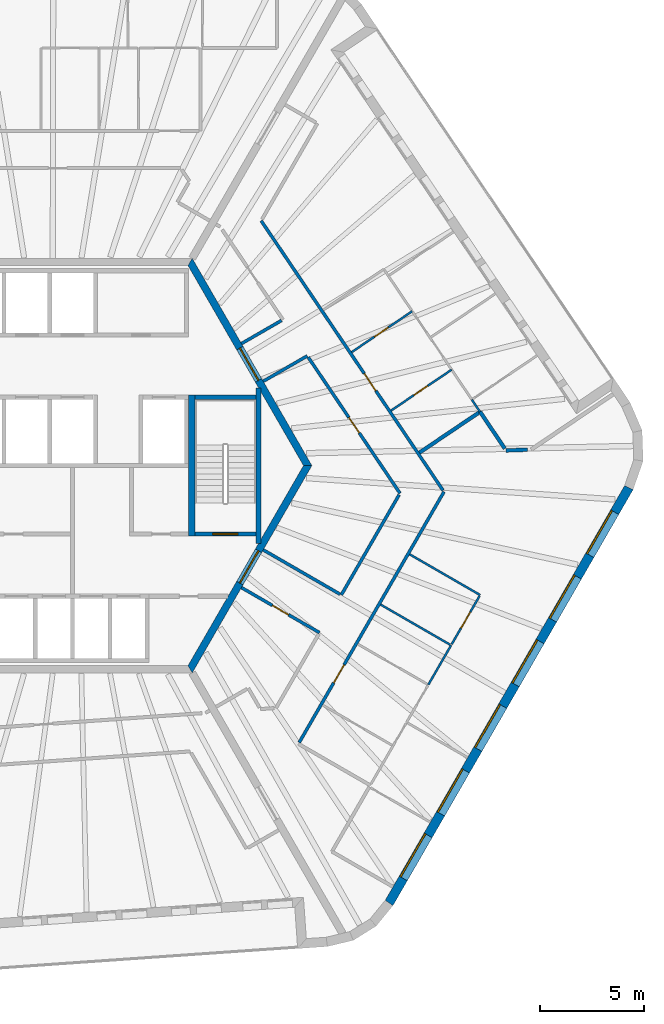
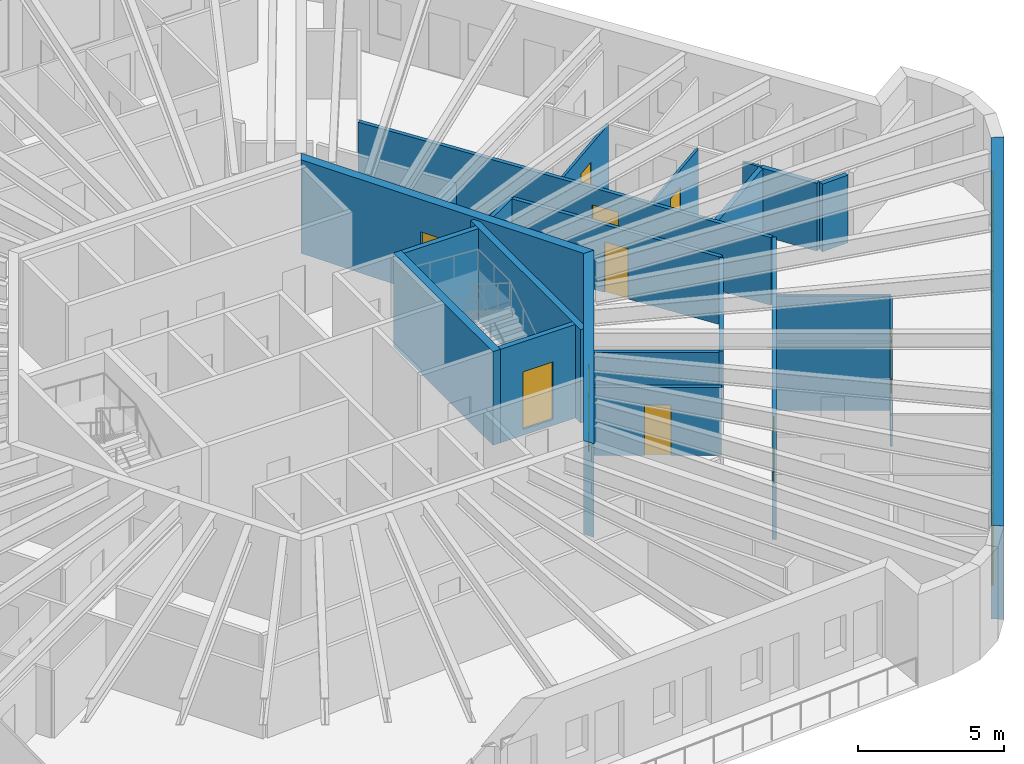
# One storey, part 6 of 11: 25 walls, 10 doors, 6 windows, 16 openings.
"""IFC4 building model written with IfcOpenShell, lengths in metres."""

from ifc_helpers import new_model, si_unit, direction, frame, frame_2d, origin, place, context, subcontext, project, spatial, polyline, rectangle, outline, extrude, material, layer, layer_set, type_object, element, fill, save


model = new_model("IFC4")

# Units and contexts
model_context = context("Model", 3, precision=1e-05, world=origin(), true_north=direction((0.0, 1.0)))
body_context = subcontext(model_context, "Body", "Model", "MODEL_VIEW")
ifc_project = project(units=[si_unit("LENGTHUNIT", "METRE"), si_unit("AREAUNIT", "SQUARE_METRE"), si_unit("VOLUMEUNIT", "CUBIC_METRE"), si_unit("PLANEANGLEUNIT", "RADIAN"), si_unit("MASSUNIT", "GRAM", prefix="KILO")], contexts=[model_context])

# Site, building, storey
site_placement = place(None, origin())
site = spatial("IfcSite", under=ifc_project, at=site_placement, CompositionType="ELEMENT")
building_placement = place(site_placement, origin())
building = spatial("IfcBuilding", under=site, at=building_placement, Name="Tarnside Tower", CompositionType="ELEMENT")
storey_placement = place(building_placement, frame((0.0, 0.0, 353.39990234375)))
storey = spatial("IfcBuildingStorey", under=building, at=storey_placement, Name="L85", CompositionType="ELEMENT", Elevation=353.39990234375)

# Walls
ifc_material_1 = material(Name="Gypsum board partition on steel studs", Category="steel")
ifc_layer_1 = layer(ifc_material_1, 0.10009765625)
ifc_layer_set_1 = layer_set([ifc_layer_1], Name="Bathroom wall 100")
wall_type_1 = type_object("IfcWallType", Name="Bathroom wall 100", PredefinedType="PARTITIONING", material=ifc_layer_set_1)
wall_1_placement = place(storey_placement, frame((18.26318359375, -8.66748046875, 0.0), z_axis=(0.0, 0.0, 1.0), x_axis=(-0.50002983664, -0.866008176907, 0.0)))
element("IfcWall", 1, at=wall_1_placement, inside=storey, type_object=wall_type_1, Name="Bathroom wall 27106", PredefinedType="PARTITIONING", context=body_context, shape_type="SweptSolid", body=[
    extrude(rectangle(XDim=2.199951171875, YDim=0.10009765625, at=frame_2d((1.10009765625, 0.0))), origin(), (0.0, 0.0, 1.0), 2.820068359375),
])
wall_2_placement = place(storey_placement, frame((18.2197265625, -8.642333984375, 0.0), z_axis=(0.0, 0.0, 1.0), x_axis=(-0.866016658288, 0.500015147339, 0.0)))
element("IfcWall", 2, at=wall_2_placement, inside=storey, type_object=wall_type_1, Name="Bathroom wall 27118", PredefinedType="PARTITIONING", context=body_context, shape_type="SweptSolid", body=[
    extrude(rectangle(XDim=3.875, YDim=0.10009765625, at=frame_2d((1.9375, 0.0))), origin(), (0.0, 0.0, 1.0), 2.820068359375),
])

# Wall, opening, door
wall_3_placement = place(storey_placement, frame((15.367431640625, 2.6552734375, 0.0), z_axis=(0.0, 0.0, 1.0), x_axis=(0.829033300448, 0.559199237078, 0.0)))
wall_3 = element("IfcWall", 3, at=wall_3_placement, inside=storey, type_object=wall_type_1, Name="Bathroom wall 27122", PredefinedType="PARTITIONING", context=body_context, shape_type="SweptSolid", body=[
    extrude(rectangle(XDim=3.525146484375, YDim=0.10009765625, at=frame_2d((1.7626953125, 0.0))), origin(), (0.0, 0.0, 1.0), 2.820068359375),
])
opening_1_placement = place(wall_3_placement, frame((1.324951171875, 0.0, 0.0)))
opening_1 = element("IfcOpeningElement", 4, at=opening_1_placement, cuts=wall_3, Name="Opening D-B1", PredefinedType="OPENING", context=body_context, shape_type="SweptSolid", body=[
    extrude(rectangle(XDim=0.800048828125, YDim=2.10009765625, at=frame_2d((0.39990234375, 1.050048828125))), frame((0.0, 0.06005859375, 0.0), z_axis=(0.0, -1.0, 0.0), x_axis=(1.0, 0.0, 0.0)), (0.0, 0.0, 1.0), 0.1201171875),
])
ifc_material_2 = material(Name="Timber door leaf", Category="wood")
door_type_1 = type_object("IfcDoorType", Name="Bathroom door 800", OperationType="NOTDEFINED", PredefinedType="DOOR", material=ifc_material_2)
door_1_placement = place(opening_1_placement, origin())
door_1 = element("IfcDoor", 5, at=door_1_placement, inside=storey, type_object=door_type_1, Name="Bathroom door 27045", OperationType="SINGLE_SWING_RIGHT", OverallHeight=2.10009765625, OverallWidth=0.800048828125, PredefinedType="DOOR", context=body_context, shape_type="SweptSolid", body=[
    extrude(rectangle(XDim=0.800048828125, YDim=2.10009765625, at=frame_2d((0.39990234375, 1.050048828125))), frame((0.0, 0.02490234375, 0.0), z_axis=(0.0, -1.0, 0.0), x_axis=(1.0, 0.0, 0.0)), (0.0, 0.0, 1.0), 0.050048828125),
])
fill(opening_1, door_1)

wall_4_placement = place(storey_placement, frame((16.388427734375, 7.4453125, 0.0), z_axis=(0.0, 0.0, 1.0), x_axis=(-0.829033300448, -0.559199237078, 0.0)))
wall_4 = element("IfcWall", 6, at=wall_4_placement, inside=storey, type_object=wall_type_1, Name="Bathroom wall 27125", PredefinedType="PARTITIONING", context=body_context, shape_type="SweptSolid", body=[
    extrude(rectangle(XDim=3.525146484375, YDim=0.10009765625, at=frame_2d((1.7626953125, 0.0))), origin(), (0.0, 0.0, 1.0), 2.820068359375),
])
opening_2_placement = place(wall_4_placement, frame((1.39990234375, 0.0, 0.0)))
opening_2 = element("IfcOpeningElement", 7, at=opening_2_placement, cuts=wall_4, Name="Opening D-B1", PredefinedType="OPENING", context=body_context, shape_type="SweptSolid", body=[
    extrude(rectangle(XDim=0.800048828125, YDim=2.10009765625, at=frame_2d((0.39990234375, 1.050048828125))), frame((0.0, 0.06005859375, 0.0), z_axis=(0.0, -1.0, 0.0), x_axis=(1.0, 0.0, 0.0)), (0.0, 0.0, 1.0), 0.1201171875),
])
door_2_placement = place(opening_2_placement, origin())
door_2 = element("IfcDoor", 8, at=door_2_placement, inside=storey, type_object=door_type_1, Name="Bathroom door 27056", OperationType="SINGLE_SWING_LEFT", OverallHeight=2.10009765625, OverallWidth=0.800048828125, PredefinedType="DOOR", context=body_context, shape_type="SweptSolid", body=[
    extrude(rectangle(XDim=0.800048828125, YDim=2.10009765625, at=frame_2d((0.39990234375, 1.050048828125))), frame((0.0, 0.02490234375, 0.0), z_axis=(0.0, -1.0, 0.0), x_axis=(1.0, 0.0, 0.0)), (0.0, 0.0, 1.0), 0.050048828125),
])
fill(opening_2, door_2)

# Wall
wall_5_placement = place(storey_placement, frame((19.660888671875, 2.59375, 0.0), z_axis=(0.0, 0.0, 1.0), x_axis=(-0.559278611344, 0.828979755418, 0.0)))
element("IfcWall", 9, at=wall_5_placement, inside=storey, type_object=wall_type_1, Name="Bathroom wall 27126", PredefinedType="PARTITIONING", context=body_context, shape_type="SweptSolid", body=[
    extrude(rectangle(XDim=0.71240234375, YDim=0.10009765625, at=frame_2d((0.356201171875, 0.0))), origin(), (0.0, 0.0, 1.0), 2.820068359375),
])

# Wall, opening, door
ifc_material_3 = material(Name="Concrete C50/60", Category="concrete")
ifc_layer_2 = layer(ifc_material_3, 0.35009765625)
ifc_layer_set_2 = layer_set([ifc_layer_2], Name="Core wall Z4 350 C50/60")
wall_type_2 = type_object("IfcWallType", Name="Core wall Z4 350 C50/60", PredefinedType="SHEAR", material=ifc_layer_set_2)
wall_6_placement = place(storey_placement, frame((5.672607421875, -9.824951171875, -0.14990234375), z_axis=(0.0, 0.0, 1.0), x_axis=(0.499995046907, 0.866028263435, 0.0)))
wall_6 = element("IfcWall", 10, at=wall_6_placement, inside=storey, type_object=wall_type_2, Name="L85 core wall face 5", PredefinedType="SHEAR", context=body_context, shape_type="SweptSolid", body=[
    extrude(outline(polyline([(-0.10107421875, -0.175048828125), (11.44580078125, -0.175048828125), (11.24365234375, 0.175048828125), (0.10107421875, 0.175048828125), (-0.10107421875, -0.175048828125)])), origin(), (0.0, 0.0, 1.0), 3.89990234375),
])
opening_3_placement = place(wall_6_placement, frame((4.80126953125, 0.0, 0.14990234375)))
opening_3 = element("IfcOpeningElement", 11, at=opening_3_placement, cuts=wall_6, Name="Opening CD-FFL", PredefinedType="OPENING", context=body_context, shape_type="SweptSolid", body=[
    extrude(rectangle(XDim=1.800048828125, YDim=2.39990234375, at=frame_2d((0.89990234375, 1.199951171875))), frame((0.0, 0.18505859375, 0.0), z_axis=(0.0, -1.0, 0.0), x_axis=(1.0, 0.0, 0.0)), (0.0, 0.0, 1.0), 0.3701171875),
])
ifc_material_4 = material(Name="Steel fire door", Category="steel")
door_type_2 = type_object("IfcDoorType", Name="Firefighting lobby double door FD60S 1800x2400", OperationType="NOTDEFINED", PredefinedType="DOOR", material=ifc_material_4)
door_3_placement = place(opening_3_placement, origin())
door_3 = element("IfcDoor", 12, at=door_3_placement, inside=storey, type_object=door_type_2, Name="L85 core door P4", OperationType="DOUBLE_DOOR_SINGLE_SWING", OverallHeight=2.39990234375, OverallWidth=1.800048828125, PredefinedType="DOOR", context=body_context, shape_type="SweptSolid", body=[
    extrude(rectangle(XDim=1.800048828125, YDim=2.39990234375, at=frame_2d((0.89990234375, 1.199951171875))), frame((0.0, 0.02490234375, 0.0), z_axis=(0.0, -1.0, 0.0), x_axis=(1.0, 0.0, 0.0)), (0.0, 0.0, 1.0), 0.050048828125),
])
fill(opening_3, door_3)

wall_7_placement = place(storey_placement, frame((11.344970703125, 0.0, -0.14990234375), z_axis=(0.0, 0.0, 1.0), x_axis=(-0.499995046907, 0.866028263435, 0.0)))
wall_7 = element("IfcWall", 13, at=wall_7_placement, inside=storey, type_object=wall_type_2, Name="L85 core wall face 6", PredefinedType="SHEAR", context=body_context, shape_type="SweptSolid", body=[
    extrude(outline(polyline([(-0.10107421875, -0.175048828125), (11.44580078125, -0.175048828125), (11.24365234375, 0.175048828125), (0.10107421875, 0.175048828125), (-0.10107421875, -0.175048828125)])), origin(), (0.0, 0.0, 1.0), 3.89990234375),
])
opening_4_placement = place(wall_7_placement, frame((4.74365234375, 0.0, 0.14990234375)))
opening_4 = element("IfcOpeningElement", 14, at=opening_4_placement, cuts=wall_7, Name="Opening CD-LOB", PredefinedType="OPENING", context=body_context, shape_type="SweptSolid", body=[
    extrude(rectangle(XDim=1.800048828125, YDim=2.39990234375, at=frame_2d((0.89990234375, 1.199951171875))), frame((0.0, 0.18505859375, 0.0), z_axis=(0.0, -1.0, 0.0), x_axis=(1.0, 0.0, 0.0)), (0.0, 0.0, 1.0), 0.3701171875),
])
door_type_3 = type_object("IfcDoorType", Name="Lobby double door FD30S 1800x2400", OperationType="NOTDEFINED", PredefinedType="DOOR", material=ifc_material_4)
door_4_placement = place(opening_4_placement, origin())
door_4 = element("IfcDoor", 15, at=door_4_placement, inside=storey, type_object=door_type_3, Name="L85 core door P2", OperationType="DOUBLE_DOOR_SINGLE_SWING", OverallHeight=2.39990234375, OverallWidth=1.800048828125, PredefinedType="DOOR", context=body_context, shape_type="SweptSolid", body=[
    extrude(rectangle(XDim=1.800048828125, YDim=2.39990234375, at=frame_2d((0.89990234375, 1.199951171875))), frame((0.0, 0.02490234375, 0.0), z_axis=(0.0, -1.0, 0.0), x_axis=(1.0, 0.0, 0.0)), (0.0, 0.0, 1.0), 0.050048828125),
])
fill(opening_4, door_4)

ifc_layer_3 = layer(ifc_material_1, 0.14990234375)
ifc_layer_set_3 = layer_set([ifc_layer_3], Name="Corridor wall 150 EI 60")
wall_type_3 = type_object("IfcWallType", Name="Corridor wall 150 EI 60", PredefinedType="PARTITIONING", material=ifc_layer_set_3)
wall_8_placement = place(storey_placement, frame((10.9365234375, -13.357421875, 0.0), z_axis=(0.0, 0.0, 1.0), x_axis=(0.499993317597, 0.866029261837, 0.0)))
wall_8 = element("IfcWall", 16, at=wall_8_placement, inside=storey, type_object=wall_type_3, Name="Corridor wall 27043", PredefinedType="PARTITIONING", context=body_context, shape_type="SweptSolid", body=[
    extrude(rectangle(XDim=13.966064453125, YDim=0.14990234375, at=frame_2d((6.98291015625, 0.0))), origin(), (0.0, 0.0, 1.0), 2.820068359375),
])
opening_5_placement = place(wall_8_placement, frame((3.324951171875, 0.0, 0.0)))
opening_5 = element("IfcOpeningElement", 17, at=opening_5_placement, cuts=wall_8, Name="Opening D-E1", PredefinedType="OPENING", context=body_context, shape_type="SweptSolid", body=[
    extrude(rectangle(XDim=1.0, YDim=2.10009765625, at=frame_2d((0.5, 1.050048828125))), frame((0.0, 0.0849609375, 0.0), z_axis=(0.0, -1.0, 0.0), x_axis=(1.0, 0.0, 0.0)), (0.0, 0.0, 1.0), 0.169921875),
])
door_type_4 = type_object("IfcDoorType", Name="Unit entrance door 1000 FD30S", OperationType="NOTDEFINED", PredefinedType="DOOR", material=ifc_material_2)
door_5_placement = place(opening_5_placement, origin())
door_5 = element("IfcDoor", 18, at=door_5_placement, inside=storey, type_object=door_type_4, Name="Unit door 27035", OperationType="SINGLE_SWING_LEFT", OverallHeight=2.10009765625, OverallWidth=1.0, PredefinedType="DOOR", context=body_context, shape_type="SweptSolid", body=[
    extrude(rectangle(XDim=1.0, YDim=2.10009765625, at=frame_2d((0.5, 1.050048828125))), frame((0.0, 0.02490234375, 0.0), z_axis=(0.0, -1.0, 0.0), x_axis=(1.0, 0.0, 0.0)), (0.0, 0.0, 1.0), 0.050048828125),
])
fill(opening_5, door_5)

wall_9_placement = place(storey_placement, frame((17.872802734375, -1.193359375, 0.0), z_axis=(0.0, 0.0, 1.0), x_axis=(-0.559195650252, 0.829035719821, 0.0)))
wall_9 = element("IfcWall", 19, at=wall_9_placement, inside=storey, type_object=wall_type_3, Name="Corridor wall 27044", PredefinedType="PARTITIONING", context=body_context, shape_type="SweptSolid", body=[
    extrude(rectangle(XDim=15.687744140625, YDim=0.14990234375, at=frame_2d((7.84375, 0.0))), origin(), (0.0, 0.0, 1.0), 2.820068359375),
])
opening_6_placement = place(wall_9_placement, frame((5.791748046875, 0.0, 0.0)))
opening_6 = element("IfcOpeningElement", 20, at=opening_6_placement, cuts=wall_9, Name="Opening D-E1", PredefinedType="OPENING", context=body_context, shape_type="SweptSolid", body=[
    extrude(rectangle(XDim=1.0, YDim=2.10009765625, at=frame_2d((0.5, 1.050048828125))), frame((0.0, 0.0849609375, 0.0), z_axis=(0.0, -1.0, 0.0), x_axis=(1.0, 0.0, 0.0)), (0.0, 0.0, 1.0), 0.169921875),
])
door_6_placement = place(opening_6_placement, origin())
door_6 = element("IfcDoor", 21, at=door_6_placement, inside=storey, type_object=door_type_4, Name="Unit door 27044", OperationType="SINGLE_SWING_LEFT", OverallHeight=2.10009765625, OverallWidth=1.0, PredefinedType="DOOR", context=body_context, shape_type="SweptSolid", body=[
    extrude(rectangle(XDim=1.0, YDim=2.10009765625, at=frame_2d((0.5, 1.050048828125))), frame((0.0, 0.02490234375, 0.0), z_axis=(0.0, -1.0, 0.0), x_axis=(1.0, 0.0, 0.0)), (0.0, 0.0, 1.0), 0.050048828125),
])
fill(opening_6, door_6)

# Wall
wall_10_placement = place(storey_placement, frame((9.19970703125, 4.065673828125, 0.0), z_axis=(0.0, 0.0, 1.0), x_axis=(0.866038240688, 0.499977765172, 0.0)))
element("IfcWall", 22, at=wall_10_placement, inside=storey, type_object=wall_type_3, Name="Corridor wall 27058", PredefinedType="PARTITIONING", context=body_context, shape_type="SweptSolid", body=[
    extrude(rectangle(XDim=2.45556640625, YDim=0.14990234375, at=frame_2d((1.227783203125, 0.0))), origin(), (0.0, 0.0, 1.0), 2.820068359375),
])

# Wall, opening, door
wall_11_placement = place(storey_placement, frame((11.368408203125, 5.231201171875, 0.0), z_axis=(0.0, 0.0, 1.0), x_axis=(0.55919388604, -0.829036909803, 0.0)))
wall_11 = element("IfcWall", 23, at=wall_11_placement, inside=storey, type_object=wall_type_3, Name="Corridor wall 27059", PredefinedType="PARTITIONING", context=body_context, shape_type="SweptSolid", body=[
    extrude(rectangle(XDim=7.921875, YDim=0.14990234375, at=frame_2d((3.9609375, 0.0))), origin(), (0.0, 0.0, 1.0), 2.820068359375),
])
opening_7_placement = place(wall_11_placement, frame((3.510986328125, 0.0, 0.0)))
opening_7 = element("IfcOpeningElement", 24, at=opening_7_placement, cuts=wall_11, Name="Opening D-S1", PredefinedType="OPENING", context=body_context, shape_type="SweptSolid", body=[
    extrude(rectangle(XDim=0.89990234375, YDim=2.10009765625, at=frame_2d((0.449951171875, 1.050048828125))), frame((0.0, 0.0849609375, 0.0), z_axis=(0.0, -1.0, 0.0), x_axis=(1.0, 0.0, 0.0)), (0.0, 0.0, 1.0), 0.169921875),
])
door_type_5 = type_object("IfcDoorType", Name="Service room door 900 FD30S", OperationType="NOTDEFINED", PredefinedType="DOOR", material=ifc_material_2)
door_7_placement = place(opening_7_placement, origin())
door_7 = element("IfcDoor", 25, at=door_7_placement, inside=storey, type_object=door_type_5, Name="Service door 27063", OperationType="SINGLE_SWING_RIGHT", OverallHeight=2.10009765625, OverallWidth=0.89990234375, PredefinedType="DOOR", context=body_context, shape_type="SweptSolid", body=[
    extrude(rectangle(XDim=0.89990234375, YDim=2.10009765625, at=frame_2d((0.449951171875, 1.050048828125))), frame((0.0, 0.02490234375, 0.0), z_axis=(0.0, -1.0, 0.0), x_axis=(1.0, 0.0, 0.0)), (0.0, 0.0, 1.0), 0.050048828125),
])
fill(opening_7, door_7)

# Walls
wall_12_placement = place(storey_placement, frame((15.756591796875, -1.40869140625, 0.0), z_axis=(0.0, 0.0, 1.0), x_axis=(-0.500002739321, -0.866023822231, 0.0)))
element("IfcWall", 26, at=wall_12_placement, inside=storey, type_object=wall_type_3, Name="Corridor wall 27060", PredefinedType="PARTITIONING", context=body_context, shape_type="SweptSolid", body=[
    extrude(rectangle(XDim=5.57958984375, YDim=0.14990234375, at=frame_2d((2.789794921875, 0.0))), origin(), (0.0, 0.0, 1.0), 2.820068359375),
])
wall_13_placement = place(storey_placement, frame((12.90185546875, -6.203125, 0.0), z_axis=(0.0, 0.0, 1.0), x_axis=(-0.866023907196, 0.500002592159, 0.0)))
element("IfcWall", 27, at=wall_13_placement, inside=storey, type_object=wall_type_3, Name="Corridor wall 27061", PredefinedType="PARTITIONING", context=body_context, shape_type="SweptSolid", body=[
    extrude(rectangle(XDim=4.27490234375, YDim=0.14990234375, at=frame_2d((2.137451171875, 0.0))), origin(), (0.0, 0.0, 1.0), 2.820068359375),
])

# Wall, opening, door
wall_14_placement = place(storey_placement, frame((8.149658203125, -5.88427734375, 0.0), z_axis=(0.0, 0.0, 1.0), x_axis=(0.866027639635, -0.499996127374, 0.0)))
wall_14 = element("IfcWall", 28, at=wall_14_placement, inside=storey, type_object=wall_type_3, Name="Corridor wall 27062", PredefinedType="PARTITIONING", context=body_context, shape_type="SweptSolid", body=[
    extrude(rectangle(XDim=4.35009765625, YDim=0.14990234375, at=frame_2d((2.175048828125, 0.0))), origin(), (0.0, 0.0, 1.0), 2.820068359375),
])
opening_8_placement = place(wall_14_placement, frame((1.72509765625, 0.0, 0.0)))
opening_8 = element("IfcOpeningElement", 29, at=opening_8_placement, cuts=wall_14, Name="Opening D-S1", PredefinedType="OPENING", context=body_context, shape_type="SweptSolid", body=[
    extrude(rectangle(XDim=0.89990234375, YDim=2.10009765625, at=frame_2d((0.449951171875, 1.050048828125))), frame((0.0, 0.0849609375, 0.0), z_axis=(0.0, -1.0, 0.0), x_axis=(1.0, 0.0, 0.0)), (0.0, 0.0, 1.0), 0.169921875),
])
door_8_placement = place(opening_8_placement, origin())
door_8 = element("IfcDoor", 30, at=door_8_placement, inside=storey, type_object=door_type_5, Name="Service door 27064", OperationType="SINGLE_SWING_LEFT", OverallHeight=2.10009765625, OverallWidth=0.89990234375, PredefinedType="DOOR", context=body_context, shape_type="SweptSolid", body=[
    extrude(rectangle(XDim=0.89990234375, YDim=2.10009765625, at=frame_2d((0.449951171875, 1.050048828125))), frame((0.0, 0.02490234375, 0.0), z_axis=(0.0, -1.0, 0.0), x_axis=(1.0, 0.0, 0.0)), (0.0, 0.0, 1.0), 0.050048828125),
])
fill(opening_8, door_8)

# Walls
wall_15_placement = place(storey_placement, frame((10.083984375, 7.001220703125, 0.0), z_axis=(0.0, 0.0, 1.0), x_axis=(-0.865994457699, -0.500053596362, 0.0)))
element("IfcWall", 31, at=wall_15_placement, inside=storey, type_object=wall_type_3, Name="Corridor wall 27069", PredefinedType="PARTITIONING", context=body_context, shape_type="SweptSolid", body=[
    extrude(rectangle(XDim=2.233642578125, YDim=0.14990234375, at=frame_2d((1.11669921875, 0.0))), origin(), (0.0, 0.0, 1.0), 2.820068359375),
])
ifc_layer_4 = layer(ifc_material_1, 0.179931640625)
ifc_layer_set_4 = layer_set([ifc_layer_4], Name="Demising wall 180 EI 60")
wall_type_4 = type_object("IfcWallType", Name="Demising wall 180 EI 60", PredefinedType="PARTITIONING", material=ifc_layer_set_4)
wall_16_placement = place(storey_placement, frame((19.65966796875, 2.595458984375, 0.0), z_axis=(0.0, 0.0, 1.0), x_axis=(-0.829033300448, -0.559199237078, 0.0)))
element("IfcWall", 32, at=wall_16_placement, inside=storey, type_object=wall_type_4, Name="Demising wall 27109", PredefinedType="PARTITIONING", context=body_context, shape_type="SweptSolid", body=[
    extrude(rectangle(XDim=3.525146484375, YDim=0.179931640625, at=frame_2d((1.7626953125, 0.0))), origin(), (0.0, 0.0, 1.0), 2.820068359375),
])
wall_17_placement = place(storey_placement, frame((21.955322265625, 0.7666015625, 0.0), z_axis=(0.0, 0.0, 1.0), x_axis=(-0.999394211814, -0.034802433729, 0.0)))
element("IfcWall", 33, at=wall_17_placement, inside=storey, type_object=wall_type_4, Name="Demising wall 27111", PredefinedType="PARTITIONING", context=body_context, shape_type="SweptSolid", body=[
    extrude(rectangle(XDim=1.038330078125, YDim=0.179931640625, at=frame_2d((0.51904296875, 0.0))), origin(), (0.0, 0.0, 1.0), 2.820068359375),
])
wall_18_placement = place(storey_placement, frame((20.8583984375, 0.818359375, 0.0), z_axis=(0.0, 0.0, 1.0), x_axis=(-0.55920528272, 0.829029222512, 0.0)))
element("IfcWall", 34, at=wall_18_placement, inside=storey, type_object=wall_type_4, Name="Demising wall 27112", PredefinedType="PARTITIONING", context=body_context, shape_type="SweptSolid", body=[
    extrude(rectangle(XDim=2.147216796875, YDim=0.179931640625, at=frame_2d((1.07373046875, 0.0))), origin(), (0.0, 0.0, 1.0), 2.820068359375),
])
ifc_material_5 = material(Name="Concrete C40/50", Category="concrete")
ifc_layer_5 = layer(ifc_material_5, 0.199951171875)
ifc_layer_set_5 = layer_set([ifc_layer_5], Name="Lift shaft wall 200 C40/50")
wall_type_5 = type_object("IfcWallType", Name="Lift shaft wall 200 C40/50", PredefinedType="SHEAR", material=ifc_layer_set_5)
wall_19_placement = place(storey_placement, frame((5.89990234375, 3.300048828125, -0.25), z_axis=(0.0, 0.0, 1.0), x_axis=(1.0, 0.0, 0.0)))
element("IfcWall", 35, at=wall_19_placement, inside=storey, type_object=wall_type_5, Name="L85 stair 1 enclosure cap wall n", PredefinedType="SHEAR", context=body_context, shape_type="SweptSolid", body=[
    extrude(rectangle(XDim=2.9501953125, YDim=0.199951171875, at=frame_2d((1.47509765625, 0.0))), origin(), (0.0, 0.0, 1.0), 3.900146484375),
])

# Wall, opening, door
wall_20_placement = place(storey_placement, frame((5.89990234375, -3.300048828125, -0.25), z_axis=(0.0, 0.0, 1.0), x_axis=(1.0, 0.0, 0.0)))
wall_20 = element("IfcWall", 36, at=wall_20_placement, inside=storey, type_object=wall_type_5, Name="L85 stair 1 enclosure cap wall s", PredefinedType="SHEAR", context=body_context, shape_type="SweptSolid", body=[
    extrude(rectangle(XDim=2.9501953125, YDim=0.199951171875, at=frame_2d((1.47509765625, 0.0))), origin(), (0.0, 0.0, 1.0), 3.900146484375),
])
opening_9_placement = place(wall_20_placement, frame((0.875, 0.0, 0.25)))
opening_9 = element("IfcOpeningElement", 37, at=opening_9_placement, cuts=wall_20, Name="Opening CD-STR", PredefinedType="OPENING", context=body_context, shape_type="SweptSolid", body=[
    extrude(rectangle(XDim=1.199951171875, YDim=2.39990234375, at=frame_2d((0.60009765625, 1.199951171875))), frame((0.0, 0.10986328125, 0.0), z_axis=(0.0, -1.0, 0.0), x_axis=(1.0, 0.0, 0.0)), (0.0, 0.0, 1.0), 0.219970703125),
])
door_type_6 = type_object("IfcDoorType", Name="Stair door FD60S 1200x2400", OperationType="NOTDEFINED", PredefinedType="DOOR", material=ifc_material_4)
door_9_placement = place(opening_9_placement, origin())
door_9 = element("IfcDoor", 38, at=door_9_placement, inside=storey, type_object=door_type_6, Name="L85 stair 1 door", OperationType="SINGLE_SWING_LEFT", OverallHeight=2.39990234375, OverallWidth=1.199951171875, PredefinedType="DOOR", context=body_context, shape_type="SweptSolid", body=[
    extrude(rectangle(XDim=1.199951171875, YDim=2.39990234375, at=frame_2d((0.60009765625, 1.199951171875))), frame((0.0, 0.02490234375, 0.0), z_axis=(0.0, -1.0, 0.0), x_axis=(1.0, 0.0, 0.0)), (0.0, 0.0, 1.0), 0.050048828125),
])
fill(opening_9, door_9)

# Wall
ifc_layer_6 = layer(ifc_material_1, 0.10009765625)
ifc_layer_set_6 = layer_set([ifc_layer_6], Name="Partition 100")
wall_type_6 = type_object("IfcWallType", Name="Partition 100", PredefinedType="PARTITIONING", material=ifc_layer_set_6)
wall_21_placement = place(storey_placement, frame((16.263916015625, -4.280029296875, 0.0), z_axis=(0.0, 0.0, 1.0), x_axis=(0.866037464623, -0.499979109433, 0.0)))
element("IfcWall", 39, at=wall_21_placement, inside=storey, type_object=wall_type_6, Name="Partition wall 27107", PredefinedType="PARTITIONING", context=body_context, shape_type="SweptSolid", body=[
    extrude(rectangle(XDim=3.925048828125, YDim=0.10009765625, at=frame_2d((1.96240234375, 0.0))), origin(), (0.0, 0.0, 1.0), 2.820068359375),
])

# Wall, opening, door
wall_22_placement = place(storey_placement, frame((19.63818359375, -6.285888671875, 0.0), z_axis=(0.0, 0.0, 1.0), x_axis=(-0.500048589285, -0.86599734893, 0.0)))
wall_22 = element("IfcWall", 40, at=wall_22_placement, inside=storey, type_object=wall_type_6, Name="Partition wall 27108", PredefinedType="PARTITIONING", context=body_context, shape_type="SweptSolid", body=[
    extrude(rectangle(XDim=2.699951171875, YDim=0.10009765625, at=frame_2d((1.35009765625, 0.0))), origin(), (0.0, 0.0, 1.0), 2.820068359375),
])
opening_10_placement = place(wall_22_placement, frame((0.89990234375, 0.0, 0.0)))
opening_10 = element("IfcOpeningElement", 41, at=opening_10_placement, cuts=wall_22, Name="Opening D-I1", PredefinedType="OPENING", context=body_context, shape_type="SweptSolid", body=[
    extrude(rectangle(XDim=0.89990234375, YDim=2.10009765625, at=frame_2d((0.449951171875, 1.050048828125))), frame((0.0, 0.06005859375, 0.0), z_axis=(0.0, -1.0, 0.0), x_axis=(1.0, 0.0, 0.0)), (0.0, 0.0, 1.0), 0.1201171875),
])
door_type_7 = type_object("IfcDoorType", Name="Internal door 900", OperationType="NOTDEFINED", PredefinedType="DOOR", material=ifc_material_2)
door_10_placement = place(opening_10_placement, origin())
door_10 = element("IfcDoor", 42, at=door_10_placement, inside=storey, type_object=door_type_7, Name="Internal door 27043", OperationType="SINGLE_SWING_LEFT", OverallHeight=2.10009765625, OverallWidth=0.89990234375, PredefinedType="DOOR", context=body_context, shape_type="SweptSolid", body=[
    extrude(rectangle(XDim=0.89990234375, YDim=2.10009765625, at=frame_2d((0.449951171875, 1.050048828125))), frame((0.0, 0.02490234375, 0.0), z_axis=(0.0, -1.0, 0.0), x_axis=(1.0, 0.0, 0.0)), (0.0, 0.0, 1.0), 0.050048828125),
])
fill(opening_10, door_10)

# Walls
ifc_layer_7 = layer(ifc_material_5, 0.25)
ifc_layer_set_7 = layer_set([ifc_layer_7], Name="Stair enclosure wall 250 C40/50")
wall_type_7 = type_object("IfcWallType", Name="Stair enclosure wall 250 C40/50", PredefinedType="SHEAR", material=ifc_layer_set_7)
wall_23_placement = place(storey_placement, frame((8.97509765625, -3.7548828125, -0.25), z_axis=(0.0, 0.0, 1.0), x_axis=(0.0, 1.0, 0.0)))
element("IfcWall", 43, at=wall_23_placement, inside=storey, type_object=wall_type_7, Name="L85 stair 1 enclosure wall outer", PredefinedType="SHEAR", context=body_context, shape_type="SweptSolid", body=[
    extrude(rectangle(XDim=7.509765625, YDim=0.25, at=frame_2d((3.7548828125, 0.0))), origin(), (0.0, 0.0, 1.0), 3.900146484375),
])
ifc_layer_8 = layer(ifc_material_5, 0.300048828125)
ifc_layer_set_8 = layer_set([ifc_layer_8], Name="Stair enclosure wall 300 C40/50")
wall_type_8 = type_object("IfcWallType", Name="Stair enclosure wall 300 C40/50", PredefinedType="SHEAR", material=ifc_layer_set_8)
wall_24_placement = place(storey_placement, frame((5.75, -3.39990234375, -0.25), z_axis=(0.0, 0.0, 1.0), x_axis=(0.0, 1.0, 0.0)))
element("IfcWall", 44, at=wall_24_placement, inside=storey, type_object=wall_type_8, Name="L85 stair 1 enclosure wall inner", PredefinedType="SHEAR", context=body_context, shape_type="SweptSolid", body=[
    extrude(rectangle(XDim=6.7998046875, YDim=0.300048828125, at=frame_2d((3.39990234375, 0.0))), origin(), (0.0, 0.0, 1.0), 3.900146484375),
])

# Wall, openings, windows
ifc_material_6 = material(Name="Facing brick", Category="masonry")
ifc_layer_9 = layer(ifc_material_6, 0.10205078125)
ifc_material_7 = material(Name="Concrete C60/75 precast", Category="concrete")
ifc_layer_10 = layer(ifc_material_7, 0.248046875)
ifc_material_8 = material(Name="Mineral wool insulation")
ifc_layer_11 = layer(ifc_material_8, 0.10009765625)
ifc_layer_set_9 = layer_set([ifc_layer_9, ifc_layer_10, ifc_layer_11], Name="Tube wall 450 brick faced")
wall_type_9 = type_object("IfcWallType", Name="Tube wall 450 brick faced", PredefinedType="SOLIDWALL", material=ifc_layer_set_9)
wall_25_placement = place(storey_placement, frame((15.272705078125, -21.096923828125, -0.14990234375), z_axis=(0.0, 0.0, 1.0), x_axis=(0.499997453958, 0.866026873738, 0.0)))
wall_25 = element("IfcWall", 45, at=wall_25_placement, inside=storey, type_object=wall_type_9, Name="Tube wall L85 F5 flush 24", PredefinedType="SOLIDWALL", context=body_context, shape_type="SweptSolid", body=[
    extrude(outline(polyline([(-0.018310546875, -0.22509765625), (23.15234375, -0.22509765625), (23.1103515625, 0.22509765625), (0.018310546875, 0.22509765625), (-0.018310546875, -0.22509765625)])), origin(), (0.0, 0.0, 1.0), 3.89990234375),
])
opening_11_placement = place(wall_25_placement, frame((1.36572265625, 0.0, 0.449951171875)))
opening_11 = element("IfcOpeningElement", 46, at=opening_11_placement, cuts=wall_25, Name="Opening WP", PredefinedType="OPENING", context=body_context, shape_type="SweptSolid", body=[
    extrude(rectangle(XDim=2.39990234375, YDim=3.0, at=frame_2d((1.199951171875, 1.5))), frame((0.0, 0.23486328125, 0.0), z_axis=(0.0, -1.0, 0.0), x_axis=(1.0, 0.0, 0.0)), (0.0, 0.0, 1.0), 0.469970703125),
])
opening_12_placement = place(wall_25_placement, frame((4.9658203125, 0.0, 0.449951171875)))
opening_12 = element("IfcOpeningElement", 47, at=opening_12_placement, cuts=wall_25, Name="Opening WP", PredefinedType="OPENING", context=body_context, shape_type="SweptSolid", body=[
    extrude(rectangle(XDim=2.39990234375, YDim=3.0, at=frame_2d((1.199951171875, 1.5))), frame((0.0, 0.23486328125, 0.0), z_axis=(0.0, -1.0, 0.0), x_axis=(1.0, 0.0, 0.0)), (0.0, 0.0, 1.0), 0.469970703125),
])
opening_13_placement = place(wall_25_placement, frame((8.56591796875, 0.0, 0.449951171875)))
opening_13 = element("IfcOpeningElement", 48, at=opening_13_placement, cuts=wall_25, Name="Opening WP", PredefinedType="OPENING", context=body_context, shape_type="SweptSolid", body=[
    extrude(rectangle(XDim=2.39990234375, YDim=3.0, at=frame_2d((1.199951171875, 1.5))), frame((0.0, 0.23486328125, 0.0), z_axis=(0.0, -1.0, 0.0), x_axis=(1.0, 0.0, 0.0)), (0.0, 0.0, 1.0), 0.469970703125),
])
opening_14_placement = place(wall_25_placement, frame((12.165771484375, 0.0, 0.449951171875)))
opening_14 = element("IfcOpeningElement", 49, at=opening_14_placement, cuts=wall_25, Name="Opening WP", PredefinedType="OPENING", context=body_context, shape_type="SweptSolid", body=[
    extrude(rectangle(XDim=2.39990234375, YDim=3.0, at=frame_2d((1.199951171875, 1.5))), frame((0.0, 0.23486328125, 0.0), z_axis=(0.0, -1.0, 0.0), x_axis=(1.0, 0.0, 0.0)), (0.0, 0.0, 1.0), 0.469970703125),
])
opening_15_placement = place(wall_25_placement, frame((15.765869140625, 0.0, 0.449951171875)))
opening_15 = element("IfcOpeningElement", 50, at=opening_15_placement, cuts=wall_25, Name="Opening WP", PredefinedType="OPENING", context=body_context, shape_type="SweptSolid", body=[
    extrude(rectangle(XDim=2.39990234375, YDim=3.0, at=frame_2d((1.199951171875, 1.5))), frame((0.0, 0.23486328125, 0.0), z_axis=(0.0, -1.0, 0.0), x_axis=(1.0, 0.0, 0.0)), (0.0, 0.0, 1.0), 0.469970703125),
])
opening_16_placement = place(wall_25_placement, frame((19.36572265625, 0.0, 0.449951171875)))
opening_16 = element("IfcOpeningElement", 51, at=opening_16_placement, cuts=wall_25, Name="Opening WP", PredefinedType="OPENING", context=body_context, shape_type="SweptSolid", body=[
    extrude(rectangle(XDim=2.39990234375, YDim=3.0, at=frame_2d((1.199951171875, 1.5))), frame((0.0, 0.23486328125, 0.0), z_axis=(0.0, -1.0, 0.0), x_axis=(1.0, 0.0, 0.0)), (0.0, 0.0, 1.0), 0.469970703125),
])
ifc_material_9 = material(Name="Aluminium-framed double glazing", Category="aluminium")
window_type = type_object("IfcWindowType", Name="Penthouse window 2400 x 3000", PartitioningType="DOUBLE_PANEL_VERTICAL", PredefinedType="WINDOW", material=ifc_material_9)
window_1_placement = place(opening_11_placement, frame((0.0, 0.1552734375, 0.0)))
window_1 = element("IfcWindow", 52, at=window_1_placement, inside=storey, type_object=window_type, Name="E.WN.L85.F5.00", OverallHeight=3.0, OverallWidth=2.39990234375, PartitioningType="DOUBLE_PANEL_VERTICAL", PredefinedType="WINDOW", context=body_context, shape_type="SweptSolid", body=[
    extrude(rectangle(XDim=2.39990234375, YDim=3.0, at=frame_2d((1.199951171875, 1.5))), frame((0.0, 0.030029296875, 0.0), z_axis=(0.0, -1.0, 0.0), x_axis=(1.0, 0.0, 0.0)), (0.0, 0.0, 1.0), 0.06005859375),
])
fill(opening_11, window_1)
window_2_placement = place(opening_12_placement, frame((0.0, 0.1552734375, 0.0)))
window_2 = element("IfcWindow", 53, at=window_2_placement, inside=storey, type_object=window_type, Name="E.WN.L85.F5.01", OverallHeight=3.0, OverallWidth=2.39990234375, PartitioningType="DOUBLE_PANEL_VERTICAL", PredefinedType="WINDOW", context=body_context, shape_type="SweptSolid", body=[
    extrude(rectangle(XDim=2.39990234375, YDim=3.0, at=frame_2d((1.199951171875, 1.5))), frame((0.0, 0.030029296875, 0.0), z_axis=(0.0, -1.0, 0.0), x_axis=(1.0, 0.0, 0.0)), (0.0, 0.0, 1.0), 0.06005859375),
])
fill(opening_12, window_2)
window_3_placement = place(opening_13_placement, frame((0.0, 0.1552734375, 0.0)))
window_3 = element("IfcWindow", 54, at=window_3_placement, inside=storey, type_object=window_type, Name="E.WN.L85.F5.02", OverallHeight=3.0, OverallWidth=2.39990234375, PartitioningType="DOUBLE_PANEL_VERTICAL", PredefinedType="WINDOW", context=body_context, shape_type="SweptSolid", body=[
    extrude(rectangle(XDim=2.39990234375, YDim=3.0, at=frame_2d((1.199951171875, 1.5))), frame((0.0, 0.030029296875, 0.0), z_axis=(0.0, -1.0, 0.0), x_axis=(1.0, 0.0, 0.0)), (0.0, 0.0, 1.0), 0.06005859375),
])
fill(opening_13, window_3)
window_4_placement = place(opening_14_placement, frame((0.0, 0.1552734375, 0.0)))
window_4 = element("IfcWindow", 55, at=window_4_placement, inside=storey, type_object=window_type, Name="E.WN.L85.F5.03", OverallHeight=3.0, OverallWidth=2.39990234375, PartitioningType="DOUBLE_PANEL_VERTICAL", PredefinedType="WINDOW", context=body_context, shape_type="SweptSolid", body=[
    extrude(rectangle(XDim=2.39990234375, YDim=3.0, at=frame_2d((1.199951171875, 1.5))), frame((0.0, 0.030029296875, 0.0), z_axis=(0.0, -1.0, 0.0), x_axis=(1.0, 0.0, 0.0)), (0.0, 0.0, 1.0), 0.06005859375),
])
fill(opening_14, window_4)
window_5_placement = place(opening_15_placement, frame((0.0, 0.1552734375, 0.0)))
window_5 = element("IfcWindow", 56, at=window_5_placement, inside=storey, type_object=window_type, Name="E.WN.L85.F5.04", OverallHeight=3.0, OverallWidth=2.39990234375, PartitioningType="DOUBLE_PANEL_VERTICAL", PredefinedType="WINDOW", context=body_context, shape_type="SweptSolid", body=[
    extrude(rectangle(XDim=2.39990234375, YDim=3.0, at=frame_2d((1.199951171875, 1.5))), frame((0.0, 0.030029296875, 0.0), z_axis=(0.0, -1.0, 0.0), x_axis=(1.0, 0.0, 0.0)), (0.0, 0.0, 1.0), 0.06005859375),
])
fill(opening_15, window_5)
window_6_placement = place(opening_16_placement, frame((0.0, 0.1552734375, 0.0)))
window_6 = element("IfcWindow", 57, at=window_6_placement, inside=storey, type_object=window_type, Name="E.WN.L85.F5.05", OverallHeight=3.0, OverallWidth=2.39990234375, PartitioningType="DOUBLE_PANEL_VERTICAL", PredefinedType="WINDOW", context=body_context, shape_type="SweptSolid", body=[
    extrude(rectangle(XDim=2.39990234375, YDim=3.0, at=frame_2d((1.199951171875, 1.5))), frame((0.0, 0.030029296875, 0.0), z_axis=(0.0, -1.0, 0.0), x_axis=(1.0, 0.0, 0.0)), (0.0, 0.0, 1.0), 0.06005859375),
])
fill(opening_16, window_6)

save(model, "model.ifc")
